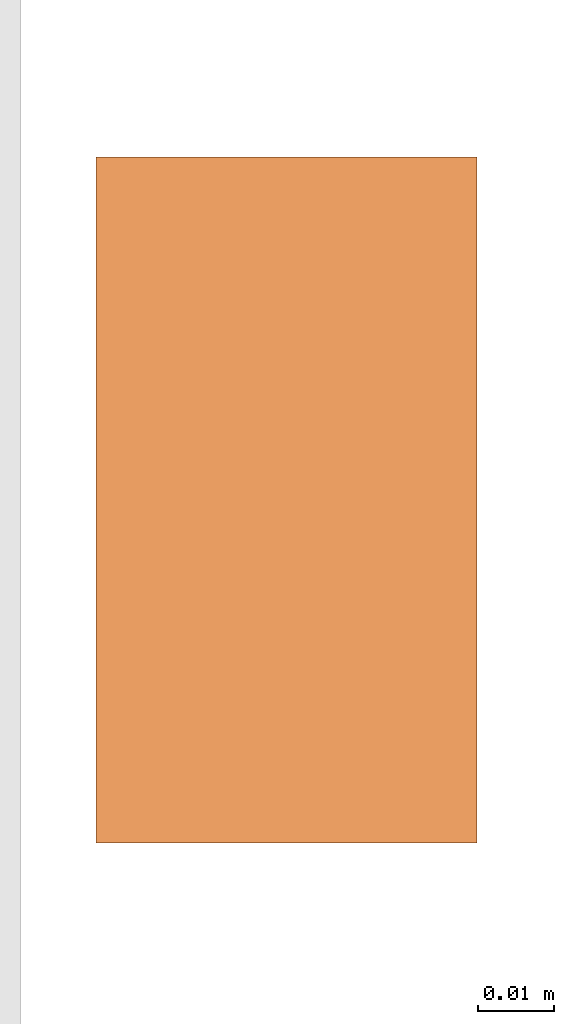
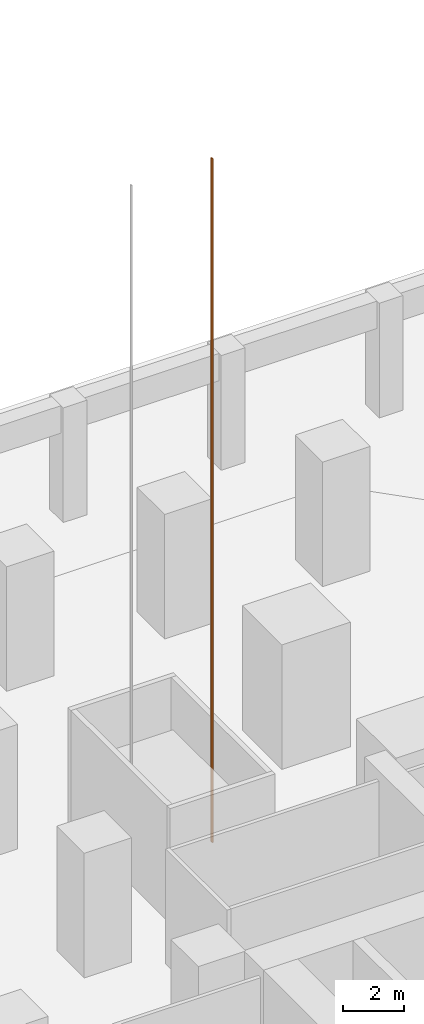
# One storey, part 20 of 20: 1 proxy.
"""IFC4 building model written with IfcOpenShell, lengths in metres."""

from ifc_helpers import new_model, si_unit, direction, frame, origin, origin_2d, place, context, subcontext, project, spatial, rectangle, extrude, material, element, save


model = new_model("IFC4")

# Units and contexts
model_context = context("Model", 3, precision=1e-05, world=origin(), true_north=direction((0.0, 1.0)))
body_context = subcontext(model_context, "Body", "Model", "MODEL_VIEW")
ifc_project = project(units=[si_unit("LENGTHUNIT", "METRE"), si_unit("AREAUNIT", "SQUARE_METRE"), si_unit("VOLUMEUNIT", "CUBIC_METRE"), si_unit("PLANEANGLEUNIT", "RADIAN"), si_unit("MASSUNIT", "GRAM", prefix="KILO")], contexts=[model_context])

# Site, building, storey
site_placement = place(None, origin())
site = spatial("IfcSite", under=ifc_project, at=site_placement, CompositionType="ELEMENT")
building_placement = place(site_placement, origin())
building = spatial("IfcBuilding", under=site, at=building_placement, Name="Mizan Broadcast Tower", CompositionType="ELEMENT")
storey_placement = place(building_placement, frame((0.0, 0.0, -5.0)))
storey = spatial("IfcBuildingStorey", under=building, at=storey_placement, Name="B1", CompositionType="ELEMENT", Elevation=-5.0)

# Proxy
ifc_material = material(Name="Steel guide rail", Category="steel")
proxy_placement = place(storey_placement, frame((-5.364990234375, 23.25, 0.0), z_axis=(0.0, 0.0, 1.0), x_axis=(1.0, 0.0, 0.0)))
element("IfcBuildingElementProxy", 1, at=proxy_placement, inside=storey, material=ifc_material, Name="Guide rail GL1-2", PredefinedType="NOTDEFINED", context=body_context, shape_type="SweptSolid", body=[
    extrude(rectangle(XDim=0.050048828125, YDim=0.090087890625, at=origin_2d()), origin(), (0.0, 0.0, 1.0), 27.449951171875),
])

save(model, "model.ifc")
